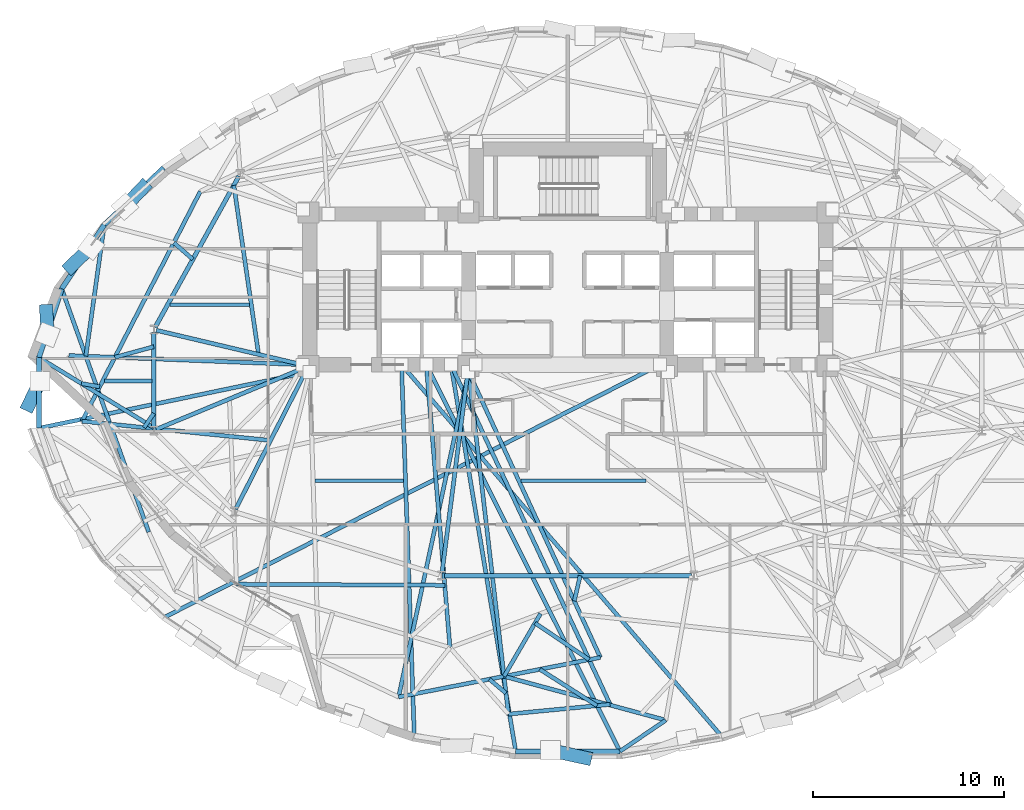
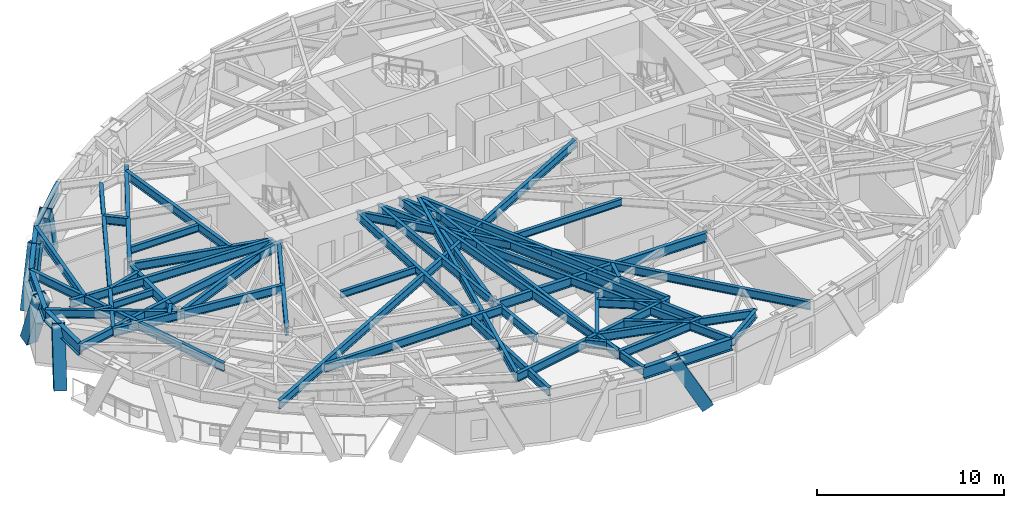
# One storey, part 3 of 17: 48 beams, 5 members.
"""IFC4 building model written with IfcOpenShell, lengths in metres."""

from ifc_helpers import new_model, si_unit, direction, frame, origin, origin_2d, place, context, subcontext, project, spatial, hollow_rectangle, i_section, extrude, material, material_profile, profile_set, type_object, element, save


model = new_model("IFC4")

# Units and contexts
model_context = context("Model", 3, precision=1e-05, world=origin(), true_north=direction((0.0, 1.0)))
body_context = subcontext(model_context, "Body", "Model", "MODEL_VIEW")
ifc_project = project(units=[si_unit("LENGTHUNIT", "METRE"), si_unit("AREAUNIT", "SQUARE_METRE"), si_unit("VOLUMEUNIT", "CUBIC_METRE"), si_unit("PLANEANGLEUNIT", "RADIAN"), si_unit("MASSUNIT", "GRAM", prefix="KILO")], contexts=[model_context])

# Site, building, storey
site_placement = place(None, origin())
site = spatial("IfcSite", under=ifc_project, at=site_placement, CompositionType="ELEMENT")
building_placement = place(site_placement, origin())
building = spatial("IfcBuilding", under=site, at=building_placement, Name="Keldmark Tower", CompositionType="ELEMENT")
storey_placement = place(building_placement, frame((0.0, 0.0, 96.60009765625)))
storey = spatial("IfcBuildingStorey", under=building, at=storey_placement, Name="L25", CompositionType="ELEMENT", Elevation=96.60009765625)

# Beams
ifc_material_1 = material(Name="Steel ASTM A992 Grade 50", Category="steel")
ifc_material_profile_1 = material_profile(ifc_material_1, i_section(OverallWidth=0.19091796875, OverallDepth=0.45703125, WebThickness=0.009033203125, FlangeThickness=0.014404296875, at=origin_2d()), Name="W18X50")
ifc_profile_set_1 = profile_set([ifc_material_profile_1], Name="Steel ASTM A992 Grade 50")
beam_type_1 = type_object("IfcBeamType", Name="Composite Floor Joist W18X50", PredefinedType="JOIST", material=ifc_profile_set_1)
beam_1_placement = place(storey_placement, frame((-13.253662109375, -4.60009765625, 3.081298828125), z_axis=(1.0, 0.0, 0.0), x_axis=(0.0, 1.0, 0.0)))
element("IfcBeam", 1, at=beam_1_placement, inside=storey, type_object=beam_type_1, Name="L25 Composite Floor Joist J04", PredefinedType="JOIST", context=body_context, shape_type="SweptSolid", body=[
    extrude(i_section(OverallWidth=0.19091796875, OverallDepth=0.45703125, WebThickness=0.009033203125, FlangeThickness=0.014404296875, at=origin_2d()), origin(), (0.0, 0.0, 1.0), 4.652099609375),
])
beam_2_placement = place(storey_placement, frame((-2.4638671875, -4.60009765625, 3.081298828125), z_axis=(1.0, 0.0, 0.0), x_axis=(0.0, 1.0, 0.0)))
element("IfcBeam", 2, at=beam_2_placement, inside=storey, type_object=beam_type_1, Name="L25 Composite Floor Joist J05", PredefinedType="JOIST", context=body_context, shape_type="SweptSolid", body=[
    extrude(i_section(OverallWidth=0.19091796875, OverallDepth=0.45703125, WebThickness=0.009033203125, FlangeThickness=0.014404296875, at=origin_2d()), origin(), (0.0, 0.0, 1.0), 6.5712890625),
])
beam_3_placement = place(storey_placement, frame((-24.26806640625, 0.6201171875, 3.081298828125), z_axis=(1.0, 0.0, 0.0), x_axis=(0.0, 1.0, 0.0)))
element("IfcBeam", 3, at=beam_3_placement, inside=storey, type_object=beam_type_1, Name="L25 Composite Floor Joist J08", PredefinedType="JOIST", context=body_context, shape_type="SweptSolid", body=[
    extrude(i_section(OverallWidth=0.19091796875, OverallDepth=0.45703125, WebThickness=0.009033203125, FlangeThickness=0.014404296875, at=origin_2d()), origin(), (0.0, 0.0, 1.0), 2.465576171875),
])
beam_4_placement = place(storey_placement, frame((-20.84912109375, 4.6201171875, 3.081298828125), z_axis=(1.0, 0.0, 0.0), x_axis=(0.0, 1.0, 0.0)))
element("IfcBeam", 4, at=beam_4_placement, inside=storey, type_object=beam_type_1, Name="L25 Composite Floor Joist J09", PredefinedType="JOIST", context=body_context, shape_type="SweptSolid", body=[
    extrude(i_section(OverallWidth=0.19091796875, OverallDepth=0.45703125, WebThickness=0.009033203125, FlangeThickness=0.014404296875, at=origin_2d()), origin(), (0.0, 0.0, 1.0), 4.1650390625),
])

# Members
ifc_material_2 = material(Name="Steel ASTM A572 Grade 50", Category="steel")
ifc_material_profile_2 = material_profile(ifc_material_2, hollow_rectangle(XDim=0.699951171875, YDim=0.699951171875, WallThickness=0.054931640625, at=origin_2d()), Name="BOX700X700X55")
ifc_profile_set_2 = profile_set([ifc_material_profile_2], Name="Steel ASTM A572 Grade 50")
member_type = type_object("IfcMemberType", Name="Diagrid Zone 1 Brace BOX700X700X55", PredefinedType="BRACE", material=ifc_profile_set_2)
member_1_placement = place(storey_placement, frame((-22.24267578125, 10.779541015625, -0.27001953125), z_axis=(-0.259558143664, -0.273023008331, 0.926330398389), x_axis=(0.72475245975, -0.689009341074, 0.0)))
element("IfcMember", 5, at=member_1_placement, inside=storey, type_object=member_type, Name="L25 Perimeter Diagrid Brace 07A", PredefinedType="BRACE", context=body_context, shape_type="SweptSolid", body=[
    extrude(hollow_rectangle(XDim=0.699951171875, YDim=0.699951171875, WallThickness=0.054931640625, at=origin_2d()), origin(), (0.0, 0.0, 1.0), 3.735107421875),
])
member_2_placement = place(storey_placement, frame((-26.052490234375, 6.617431640625, -0.27001953125), z_axis=(0.283737637984, 0.276156614087, 0.918275817654), x_axis=(-0.697468552971, 0.716615390301, 0.0)))
element("IfcMember", 6, at=member_2_placement, inside=storey, type_object=member_type, Name="L25 Perimeter Diagrid Brace 07B", PredefinedType="BRACE", context=body_context, shape_type="SweptSolid", body=[
    extrude(hollow_rectangle(XDim=0.699951171875, YDim=0.699951171875, WallThickness=0.054931640625, at=origin_2d()), origin(), (0.0, 0.0, 1.0), 3.767822265625),
])
member_3_placement = place(storey_placement, frame((-27.330810546875, 4.3037109375, -0.27001953125), z_axis=(0.019074582468, -0.34440218345, 0.93862841228), x_axis=(0.998469791675, 0.055299865385, 0.0)))
element("IfcMember", 7, at=member_3_placement, inside=storey, type_object=member_type, Name="L25 Perimeter Diagrid Brace 08A", PredefinedType="BRACE", context=body_context, shape_type="SweptSolid", body=[
    extrude(hollow_rectangle(XDim=0.699951171875, YDim=0.699951171875, WallThickness=0.054931640625, at=origin_2d()), origin(), (0.0, 0.0, 1.0), 3.686279296875),
])
member_4_placement = place(storey_placement, frame((-28.2529296875, -0.635986328125, -0.27001953125), z_axis=(0.160209919925, 0.334638879777, 0.928627805797), x_axis=(-0.901960796712, 0.431817925976, 0.0)))
element("IfcMember", 8, at=member_4_placement, inside=storey, type_object=member_type, Name="L25 Perimeter Diagrid Brace 08B", PredefinedType="BRACE", context=body_context, shape_type="SweptSolid", body=[
    extrude(hollow_rectangle(XDim=0.699951171875, YDim=0.699951171875, WallThickness=0.054931640625, at=origin_2d()), origin(), (0.0, 0.0, 1.0), 3.725830078125),
])
member_5_placement = place(storey_placement, frame((0.935302734375, -19.13232421875, -0.27001953125), z_axis=(-0.466934405336, 0.1024479124, 0.878337455856), x_axis=(-0.214307740146, -0.976766191324, 0.0)))
element("IfcMember", 9, at=member_5_placement, inside=storey, type_object=member_type, Name="L25 Perimeter Diagrid Brace 12B", PredefinedType="BRACE", context=body_context, shape_type="SweptSolid", body=[
    extrude(hollow_rectangle(XDim=0.699951171875, YDim=0.699951171875, WallThickness=0.054931640625, at=origin_2d()), origin(), (0.0, 0.0, 1.0), 3.939208984375),
])

# Beams
ifc_material_3 = material(Name="Steel ASTM A992 Grade 50", Category="steel")
ifc_material_profile_3 = material_profile(ifc_material_3, i_section(OverallWidth=0.22900390625, OverallDepth=0.612060546875, WebThickness=0.011962890625, FlangeThickness=0.01953125, at=origin_2d()), Name="W24X84")
ifc_profile_set_3 = profile_set([ifc_material_profile_3], Name="Steel ASTM A992 Grade 50")
beam_type_2 = type_object("IfcBeamType", Name="Primary Floor Girder W24X84", PredefinedType="BEAM", material=ifc_profile_set_3)
beam_5_placement = place(storey_placement, frame((-17.235107421875, 11.35595703125, 3.00390625), z_axis=(-0.484951836703, -0.874540860154, 0.0), x_axis=(0.874540860154, -0.484951836703, 0.0)))
element("IfcBeam", 10, at=beam_5_placement, inside=storey, type_object=beam_type_2, Name="L25 Floor Ring Girder FG-R05", PredefinedType="BEAM", context=body_context, shape_type="SweptSolid", body=[
    extrude(i_section(OverallWidth=0.22900390625, OverallDepth=0.612060546875, WebThickness=0.011962890625, FlangeThickness=0.01953125, at=origin_2d()), origin(), (0.0, 0.0, 1.0), 9.060302734375),
])
beam_6_placement = place(storey_placement, frame((-21.697021484375, 3.169921875, 3.00390625), z_axis=(0.0, -1.0, 0.0), x_axis=(1.0, 0.0, 0.0)))
element("IfcBeam", 11, at=beam_6_placement, inside=storey, type_object=beam_type_2, Name="L25 Floor Ring Girder FG-R06", PredefinedType="BEAM", context=body_context, shape_type="SweptSolid", body=[
    extrude(i_section(OverallWidth=0.22900390625, OverallDepth=0.612060546875, WebThickness=0.011962890625, FlangeThickness=0.01953125, at=origin_2d()), origin(), (0.0, 0.0, 1.0), 4.995849609375),
])
beam_7_placement = place(storey_placement, frame((-6.472900390625, -9.579345703125, 3.00390625), z_axis=(1.0, 0.0, 0.0), x_axis=(0.0, 1.0, 0.0)))
element("IfcBeam", 12, at=beam_7_placement, inside=storey, type_object=beam_type_2, Name="L25 Floor Ring Girder FG-R09", PredefinedType="BEAM", context=body_context, shape_type="SweptSolid", body=[
    extrude(i_section(OverallWidth=0.22900390625, OverallDepth=0.612060546875, WebThickness=0.011962890625, FlangeThickness=0.01953125, at=origin_2d()), origin(), (0.0, 0.0, 1.0), 12.94580078125),
])
ifc_material_4 = material(Name="Steel ASTM A992 Grade 50", Category="steel")
ifc_material_profile_4 = material_profile(ifc_material_4, i_section(OverallWidth=0.2099609375, OverallDepth=0.537109375, WebThickness=0.010986328125, FlangeThickness=0.017333984375, at=origin_2d()), Name="W21X68")
ifc_profile_set_4 = profile_set([ifc_material_profile_4], Name="Steel ASTM A992 Grade 50")
beam_type_3 = type_object("IfcBeamType", Name="Radial Tie Girder W21X68", PredefinedType="BEAM", material=ifc_profile_set_4)
beam_8_placement = place(storey_placement, frame((-16.206298828125, 2.014892578125, 3.04150390625), z_axis=(-0.144668966659, 0.989480111011, 0.0), x_axis=(-0.989480111011, -0.144668966659, 0.0)))
element("IfcBeam", 13, at=beam_8_placement, inside=storey, type_object=beam_type_3, Name="L25 Framing Pin Header PH-003", PredefinedType="BEAM", context=body_context, shape_type="SweptSolid", body=[
    extrude(i_section(OverallWidth=0.2099609375, OverallDepth=0.537109375, WebThickness=0.010986328125, FlangeThickness=0.017333984375, at=origin_2d()), origin(), (0.0, 0.0, 1.0), 8.954345703125),
])
beam_9_placement = place(storey_placement, frame((-21.697021484375, -1.076416015625, 3.04150390625), z_axis=(-0.566712846815, -0.823915377484, 0.0), x_axis=(0.823915377484, -0.566712846815, 0.0)))
element("IfcBeam", 14, at=beam_9_placement, inside=storey, type_object=beam_type_3, Name="L25 Framing Pin Header PH-004", PredefinedType="BEAM", context=body_context, shape_type="SweptSolid", body=[
    extrude(i_section(OverallWidth=0.2099609375, OverallDepth=0.537109375, WebThickness=0.010986328125, FlangeThickness=0.017333984375, at=origin_2d()), origin(), (0.0, 0.0, 1.0), 0.90087890625),
])
beam_10_placement = place(storey_placement, frame((-15.57958984375, -2.4951171875, 3.04150390625), z_axis=(-0.994834649081, 0.101508723705, 0.0), x_axis=(-0.101508723705, -0.994834649081, 0.0)))
element("IfcBeam", 15, at=beam_10_placement, inside=storey, type_object=beam_type_3, Name="L25 Sub-Ring Step Girder STP1-M07", PredefinedType="BEAM", context=body_context, shape_type="SweptSolid", body=[
    extrude(i_section(OverallWidth=0.2099609375, OverallDepth=0.537109375, WebThickness=0.010986328125, FlangeThickness=0.017333984375, at=origin_2d()), origin(), (0.0, 0.0, 1.0), 9.93310546875),
])
beam_11_placement = place(storey_placement, frame((-17.360107421875, -10.027587890625, 3.04150390625), z_axis=(0.999986059239, -0.005280277218, 0.0), x_axis=(0.005280277218, 0.999986059239, 0.0)))
element("IfcBeam", 16, at=beam_11_placement, inside=storey, type_object=beam_type_3, Name="L25 Framing Pin Header PH-006", PredefinedType="BEAM", context=body_context, shape_type="SweptSolid", body=[
    extrude(i_section(OverallWidth=0.2099609375, OverallDepth=0.537109375, WebThickness=0.010986328125, FlangeThickness=0.017333984375, at=origin_2d()), origin(), (0.0, 0.0, 1.0), 10.911865234375),
])
beam_12_placement = place(storey_placement, frame((-7.41796875, 1.47509765625, 3.04150390625), z_axis=(0.083564279251, -0.996502388975, 0.0), x_axis=(0.996502388975, 0.083564279251, 0.0)))
element("IfcBeam", 17, at=beam_12_placement, inside=storey, type_object=beam_type_3, Name="L25 Sub-Ring Step Girder STP1-M09", PredefinedType="BEAM", context=body_context, shape_type="SweptSolid", body=[
    extrude(i_section(OverallWidth=0.2099609375, OverallDepth=0.537109375, WebThickness=0.010986328125, FlangeThickness=0.017333984375, at=origin_2d()), origin(), (0.0, 0.0, 1.0), 14.876708984375),
])
beam_13_placement = place(storey_placement, frame((-19.2587890625, 10.560302734375, 3.04150390625), z_axis=(-0.457755076319, -0.889078337439, 0.0), x_axis=(0.889078337439, -0.457755076319, 0.0)))
element("IfcBeam", 18, at=beam_13_placement, inside=storey, type_object=beam_type_3, Name="L25 Perimeter Collector Ring Beam CRG1-M06", PredefinedType="BEAM", context=body_context, shape_type="SweptSolid", body=[
    extrude(i_section(OverallWidth=0.2099609375, OverallDepth=0.537109375, WebThickness=0.010986328125, FlangeThickness=0.017333984375, at=origin_2d()), origin(), (0.0, 0.0, 1.0), 13.550048828125),
])
beam_14_placement = place(storey_placement, frame((-21.697021484375, 2.42041015625, 3.04150390625), z_axis=(-0.96450500901, -0.264064551946, 0.0), x_axis=(0.264064551946, -0.96450500901, 0.0)))
element("IfcBeam", 19, at=beam_14_placement, inside=storey, type_object=beam_type_3, Name="L25 Framing Pin Header PH-010", PredefinedType="BEAM", context=body_context, shape_type="SweptSolid", body=[
    extrude(i_section(OverallWidth=0.2099609375, OverallDepth=0.537109375, WebThickness=0.010986328125, FlangeThickness=0.017333984375, at=origin_2d()), origin(), (0.0, 0.0, 1.0), 2.115478515625),
])
beam_15_placement = place(storey_placement, frame((-13.89990234375, 1.47509765625, 3.04150390625), z_axis=(-0.999228201232, 0.039281062405, 0.0), x_axis=(-0.039281062405, -0.999228201232, 0.0)))
element("IfcBeam", 20, at=beam_15_placement, inside=storey, type_object=beam_type_3, Name="L25 Sub-Ring Step Girder STP2-M07", PredefinedType="BEAM", context=body_context, shape_type="SweptSolid", body=[
    extrude(i_section(OverallWidth=0.2099609375, OverallDepth=0.537109375, WebThickness=0.010986328125, FlangeThickness=0.017333984375, at=origin_2d()), origin(), (0.0, 0.0, 1.0), 12.2626953125),
])
beam_16_placement = place(storey_placement, frame((-5.199951171875, 1.10009765625, 3.04150390625), z_axis=(-0.210462581744, -0.977601913708, 0.0), x_axis=(0.977601913708, -0.210462581744, 0.0)))
element("IfcBeam", 21, at=beam_16_placement, inside=storey, type_object=beam_type_3, Name="L25 Sub-Ring Step Girder STP2-M09", PredefinedType="BEAM", context=body_context, shape_type="SweptSolid", body=[
    extrude(i_section(OverallWidth=0.2099609375, OverallDepth=0.537109375, WebThickness=0.010986328125, FlangeThickness=0.017333984375, at=origin_2d()), origin(), (0.0, 0.0, 1.0), 17.430419921875),
])
beam_17_placement = place(storey_placement, frame((0.647216796875, -9.579345703125, 3.04150390625), z_axis=(-0.225762338717, -0.974182409211, 0.0), x_axis=(0.974182409211, -0.225762338717, 0.0)))
element("IfcBeam", 22, at=beam_17_placement, inside=storey, type_object=beam_type_3, Name="L25 Framing Pin Header PH-013", PredefinedType="BEAM", context=body_context, shape_type="SweptSolid", body=[
    extrude(i_section(OverallWidth=0.2099609375, OverallDepth=0.537109375, WebThickness=0.010986328125, FlangeThickness=0.017333984375, at=origin_2d()), origin(), (0.0, 0.0, 1.0), 1.362548828125),
])
beam_18_placement = place(storey_placement, frame((-5.199951171875, 1.10009765625, 3.04150390625), z_axis=(0.418938879898, -0.908014435408, 0.0), x_axis=(0.908014435408, 0.418938879898, 0.0)))
element("IfcBeam", 23, at=beam_18_placement, inside=storey, type_object=beam_type_3, Name="L25 Sub-Ring Step Girder STP2-M10", PredefinedType="BEAM", context=body_context, shape_type="SweptSolid", body=[
    extrude(i_section(OverallWidth=0.2099609375, OverallDepth=0.537109375, WebThickness=0.010986328125, FlangeThickness=0.017333984375, at=origin_2d()), origin(), (0.0, 0.0, 1.0), 16.482177734375),
])
beam_19_placement = place(storey_placement, frame((-8.868408203125, -15.93994140625, 3.04150390625), z_axis=(0.98130074481, 0.192480773677, 0.0), x_axis=(-0.192480773677, 0.98130074481, 0.0)))
element("IfcBeam", 24, at=beam_19_placement, inside=storey, type_object=beam_type_3, Name="L25 Perimeter Collector Ring Beam CRG2-M09", PredefinedType="BEAM", context=body_context, shape_type="SweptSolid", body=[
    extrude(i_section(OverallWidth=0.2099609375, OverallDepth=0.537109375, WebThickness=0.010986328125, FlangeThickness=0.017333984375, at=origin_2d()), origin(), (0.0, 0.0, 1.0), 10.77490234375),
])
beam_20_placement = place(storey_placement, frame((-19.651611328125, 6.997802734375, 3.04150390625), z_axis=(-0.752416343637, 0.658687821223, 0.0), x_axis=(-0.658687821223, -0.752416343637, 0.0)))
element("IfcBeam", 25, at=beam_20_placement, inside=storey, type_object=beam_type_3, Name="L25 Framing Pin Header PH-023", PredefinedType="BEAM", context=body_context, shape_type="SweptSolid", body=[
    extrude(i_section(OverallWidth=0.2099609375, OverallDepth=0.537109375, WebThickness=0.010986328125, FlangeThickness=0.017333984375, at=origin_2d()), origin(), (0.0, 0.0, 1.0), 1.320556640625),
])
beam_21_placement = place(storey_placement, frame((-24.29296875, 8.802490234375, 3.04150390625), z_axis=(-0.13900071886, -0.990292280166, 0.0), x_axis=(0.990292280166, -0.13900071886, 0.0)))
element("IfcBeam", 26, at=beam_21_placement, inside=storey, type_object=beam_type_3, Name="L25 Framing Pin Header PH-024", PredefinedType="BEAM", context=body_context, shape_type="SweptSolid", body=[
    extrude(i_section(OverallWidth=0.2099609375, OverallDepth=0.537109375, WebThickness=0.010986328125, FlangeThickness=0.017333984375, at=origin_2d()), origin(), (0.0, 0.0, 1.0), 6.9482421875),
])
beam_22_placement = place(storey_placement, frame((-21.960693359375, -7.294921875, 3.04150390625), z_axis=(-0.336911994657, 0.941536142618, 0.0), x_axis=(-0.941536142618, -0.336911994657, 0.0)))
element("IfcBeam", 27, at=beam_22_placement, inside=storey, type_object=beam_type_3, Name="L25 Perimeter Radial Tie Girder RT-15", PredefinedType="BEAM", context=body_context, shape_type="SweptSolid", body=[
    extrude(i_section(OverallWidth=0.2099609375, OverallDepth=0.537109375, WebThickness=0.010986328125, FlangeThickness=0.017333984375, at=origin_2d()), origin(), (0.0, 0.0, 1.0), 13.540771484375),
])
beam_23_placement = place(storey_placement, frame((-24.531005859375, 0.3203125, 3.04150390625), z_axis=(-0.984651816895, 0.174530225132, 0.0), x_axis=(-0.174530225132, -0.984651816895, 0.0)))
element("IfcBeam", 28, at=beam_23_placement, inside=storey, type_object=beam_type_3, Name="L25 Framing Pin Header PH-025", PredefinedType="BEAM", context=body_context, shape_type="SweptSolid", body=[
    extrude(i_section(OverallWidth=0.2099609375, OverallDepth=0.537109375, WebThickness=0.010986328125, FlangeThickness=0.017333984375, at=origin_2d()), origin(), (0.0, 0.0, 1.0), 0.97216796875),
])
beam_24_placement = place(storey_placement, frame((-21.697021484375, -1.825927734375, 3.04150390625), z_axis=(-0.853385353326, 0.521280575822, 0.0), x_axis=(-0.521280575822, -0.853385353326, 0.0)))
element("IfcBeam", 29, at=beam_24_placement, inside=storey, type_object=beam_type_3, Name="L25 Perimeter Radial Tie Girder RT-16", PredefinedType="BEAM", context=body_context, shape_type="SweptSolid", body=[
    extrude(i_section(OverallWidth=0.2099609375, OverallDepth=0.537109375, WebThickness=0.010986328125, FlangeThickness=0.017333984375, at=origin_2d()), origin(), (0.0, 0.0, 1.0), 7.052734375),
])
beam_25_placement = place(storey_placement, frame((-13.52490234375, 1.10009765625, 3.04150390625), z_axis=(-0.979059659864, -0.203573530763, 0.0), x_axis=(0.203573530763, -0.979059659864, 0.0)))
element("IfcBeam", 30, at=beam_25_placement, inside=storey, type_object=beam_type_3, Name="L25 Perimeter Radial Tie Girder RT-17", PredefinedType="BEAM", context=body_context, shape_type="SweptSolid", body=[
    extrude(i_section(OverallWidth=0.2099609375, OverallDepth=0.537109375, WebThickness=0.010986328125, FlangeThickness=0.017333984375, at=origin_2d()), origin(), (0.0, 0.0, 1.0), 14.494384765625),
])
beam_26_placement = place(storey_placement, frame((4.824951171875, 1.47509765625, 3.04150390625), z_axis=(-0.890888103103, -0.454222839309, 0.0), x_axis=(0.454222839309, -0.890888103103, 0.0)))
element("IfcBeam", 31, at=beam_26_placement, inside=storey, type_object=beam_type_3, Name="L25 Perimeter Radial Tie Girder RT-20", PredefinedType="BEAM", context=body_context, shape_type="SweptSolid", body=[
    extrude(i_section(OverallWidth=0.2099609375, OverallDepth=0.537109375, WebThickness=0.010986328125, FlangeThickness=0.017333984375, at=origin_2d()), origin(), (0.0, 0.0, 1.0), 29.20068359375),
])
beam_27_placement = place(storey_placement, frame((-8.71435546875, 1.47509765625, 3.04150390625), z_axis=(0.034352124829, -0.999409791587, 0.0), x_axis=(0.999409791587, 0.034352124829, 0.0)))
element("IfcBeam", 32, at=beam_27_placement, inside=storey, type_object=beam_type_3, Name="L25 Perimeter Radial Tie Girder RT-23", PredefinedType="BEAM", context=body_context, shape_type="SweptSolid", body=[
    extrude(i_section(OverallWidth=0.2099609375, OverallDepth=0.537109375, WebThickness=0.010986328125, FlangeThickness=0.017333984375, at=origin_2d()), origin(), (0.0, 0.0, 1.0), 19.466064453125),
])
beam_28_placement = place(storey_placement, frame((-1.429443359375, -11.5703125, 3.04150390625), z_axis=(-0.503244138967, -0.864144279964, 0.0), x_axis=(0.864144279964, -0.503244138967, 0.0)))
element("IfcBeam", 33, at=beam_28_placement, inside=storey, type_object=beam_type_3, Name="L25 Framing Pin Header PH-032", PredefinedType="BEAM", context=body_context, shape_type="SweptSolid", body=[
    extrude(i_section(OverallWidth=0.2099609375, OverallDepth=0.537109375, WebThickness=0.010986328125, FlangeThickness=0.017333984375, at=origin_2d()), origin(), (0.0, 0.0, 1.0), 3.802490234375),
])
beam_29_placement = place(storey_placement, frame((-5.199951171875, 1.10009765625, 3.04150390625), z_axis=(0.115592370927, -0.993296735011, 0.0), x_axis=(0.993296735011, 0.115592370927, 0.0)))
element("IfcBeam", 34, at=beam_29_placement, inside=storey, type_object=beam_type_3, Name="L25 Intermediate Radial Step Girder RT-24M", PredefinedType="BEAM", context=body_context, shape_type="SweptSolid", body=[
    extrude(i_section(OverallWidth=0.2099609375, OverallDepth=0.537109375, WebThickness=0.010986328125, FlangeThickness=0.017333984375, at=origin_2d()), origin(), (0.0, 0.0, 1.0), 18.058349609375),
])
beam_30_placement = place(storey_placement, frame((-4.1103515625, -15.006591796875, 3.04150390625), z_axis=(0.765908092283, -0.642950071293, 0.0), x_axis=(0.642950071293, 0.765908092283, 0.0)))
element("IfcBeam", 35, at=beam_30_placement, inside=storey, type_object=beam_type_3, Name="L25 Framing Pin Header PH-033", PredefinedType="BEAM", context=body_context, shape_type="SweptSolid", body=[
    extrude(i_section(OverallWidth=0.2099609375, OverallDepth=0.537109375, WebThickness=0.010986328125, FlangeThickness=0.017333984375, at=origin_2d()), origin(), (0.0, 0.0, 1.0), 1.1357421875),
])
beam_31_placement = place(storey_placement, frame((-6.121337890625, 1.47509765625, 3.04150390625), z_axis=(0.165079171882, -0.986280318678, 0.0), x_axis=(0.986280318678, 0.165079171882, 0.0)))
element("IfcBeam", 36, at=beam_31_placement, inside=storey, type_object=beam_type_3, Name="L25 Perimeter Radial Tie Girder RT-24", PredefinedType="BEAM", context=body_context, shape_type="SweptSolid", body=[
    extrude(i_section(OverallWidth=0.2099609375, OverallDepth=0.537109375, WebThickness=0.010986328125, FlangeThickness=0.017333984375, at=origin_2d()), origin(), (0.0, 0.0, 1.0), 20.54541015625),
])
beam_32_placement = place(storey_placement, frame((-1.716552734375, -12.06298828125, 3.04150390625), z_axis=(0.828256151033, -0.56034966608, 0.0), x_axis=(0.56034966608, 0.828256151033, 0.0)))
element("IfcBeam", 37, at=beam_32_placement, inside=storey, type_object=beam_type_3, Name="L25 Framing Pin Header PH-034", PredefinedType="BEAM", context=body_context, shape_type="SweptSolid", body=[
    extrude(i_section(OverallWidth=0.2099609375, OverallDepth=0.537109375, WebThickness=0.010986328125, FlangeThickness=0.017333984375, at=origin_2d()), origin(), (0.0, 0.0, 1.0), 3.4228515625),
])
beam_33_placement = place(storey_placement, frame((-6.121337890625, 1.47509765625, 3.04150390625), z_axis=(0.424176129322, -0.905579710083, 0.0), x_axis=(0.905579710083, 0.424176129322, 0.0)))
element("IfcBeam", 38, at=beam_33_placement, inside=storey, type_object=beam_type_3, Name="L25 Intermediate Radial Step Girder RT-25M", PredefinedType="BEAM", context=body_context, shape_type="SweptSolid", body=[
    extrude(i_section(OverallWidth=0.2099609375, OverallDepth=0.537109375, WebThickness=0.010986328125, FlangeThickness=0.017333984375, at=origin_2d()), origin(), (0.0, 0.0, 1.0), 19.658447265625),
])
beam_34_placement = place(storey_placement, frame((-3.112548828125, -16.837158203125, 3.04150390625), z_axis=(0.995452951304, 0.095254510342, 0.0), x_axis=(-0.095254510342, 0.995452951304, 0.0)))
element("IfcBeam", 39, at=beam_34_placement, inside=storey, type_object=beam_type_3, Name="L25 Local Collector Chord RT-25C", PredefinedType="BEAM", context=body_context, shape_type="SweptSolid", body=[
    extrude(i_section(OverallWidth=0.2099609375, OverallDepth=0.537109375, WebThickness=0.010986328125, FlangeThickness=0.017333984375, at=origin_2d()), origin(), (0.0, 0.0, 1.0), 5.354248046875),
])
beam_35_placement = place(storey_placement, frame((-1.467041015625, -14.488037109375, 3.04150390625), z_axis=(0.843972742046, -0.53638606496, 0.0), x_axis=(0.53638606496, 0.843972742046, 0.0)))
element("IfcBeam", 40, at=beam_35_placement, inside=storey, type_object=beam_type_3, Name="L25 Framing Pin Header PH-035", PredefinedType="BEAM", context=body_context, shape_type="SweptSolid", body=[
    extrude(i_section(OverallWidth=0.2099609375, OverallDepth=0.537109375, WebThickness=0.010986328125, FlangeThickness=0.017333984375, at=origin_2d()), origin(), (0.0, 0.0, 1.0), 3.551025390625),
])
beam_36_placement = place(storey_placement, frame((-7.41796875, 1.47509765625, 3.04150390625), z_axis=(0.447778009443, -0.894144761355, 0.0), x_axis=(0.894144761355, 0.447778009443, 0.0)))
element("IfcBeam", 41, at=beam_36_placement, inside=storey, type_object=beam_type_3, Name="L25 Perimeter Radial Tie Girder RT-25", PredefinedType="BEAM", context=body_context, shape_type="SweptSolid", body=[
    extrude(i_section(OverallWidth=0.2099609375, OverallDepth=0.537109375, WebThickness=0.010986328125, FlangeThickness=0.017333984375, at=origin_2d()), origin(), (0.0, 0.0, 1.0), 22.662353515625),
])
beam_37_placement = place(storey_placement, frame((-3.343017578125, -14.856201171875, 3.04150390625), z_axis=(0.965171392467, -0.261618392248, 0.0), x_axis=(0.261618392248, 0.965171392467, 0.0)))
element("IfcBeam", 42, at=beam_37_placement, inside=storey, type_object=beam_type_3, Name="L25 Intermediate Radial Step Girder RT-26M", PredefinedType="BEAM", context=body_context, shape_type="SweptSolid", body=[
    extrude(i_section(OverallWidth=0.2099609375, OverallDepth=0.537109375, WebThickness=0.010986328125, FlangeThickness=0.017333984375, at=origin_2d()), origin(), (0.0, 0.0, 1.0), 8.780517578125),
])
beam_38_placement = place(storey_placement, frame((2.729736328125, -18.788330078125, 3.04150390625), z_axis=(0.826646650538, 0.562721347698, 0.0), x_axis=(-0.562721347698, 0.826646650538, 0.0)))
element("IfcBeam", 43, at=beam_38_placement, inside=storey, type_object=beam_type_3, Name="L25 Local Collector Chord RT-26C", PredefinedType="BEAM", context=body_context, shape_type="SweptSolid", body=[
    extrude(i_section(OverallWidth=0.2099609375, OverallDepth=0.537109375, WebThickness=0.010986328125, FlangeThickness=0.017333984375, at=origin_2d()), origin(), (0.0, 0.0, 1.0), 2.905517578125),
])
beam_39_placement = place(storey_placement, frame((-8.71435546875, 1.47509765625, 3.04150390625), z_axis=(0.652689631699, -0.757625398645, 0.0), x_axis=(0.757625398645, 0.652689631699, 0.0)))
element("IfcBeam", 44, at=beam_39_placement, inside=storey, type_object=beam_type_3, Name="L25 Perimeter Radial Tie Girder RT-26R", PredefinedType="BEAM", context=body_context, shape_type="SweptSolid", body=[
    extrude(i_section(OverallWidth=0.2099609375, OverallDepth=0.537109375, WebThickness=0.010986328125, FlangeThickness=0.017333984375, at=origin_2d()), origin(), (0.0, 0.0, 1.0), 25.678466796875),
])
ifc_material_5 = material(Name="Steel ASTM A992 Grade 50", Category="steel")
ifc_material_profile_5 = material_profile(ifc_material_5, i_section(OverallWidth=0.214111328125, OverallDepth=0.549072265625, WebThickness=0.0146484375, FlangeThickness=0.023681640625, at=origin_2d()), Name="W21X93")
ifc_profile_set_5 = profile_set([ifc_material_profile_5], Name="Steel ASTM A992 Grade 50")
beam_type_4 = type_object("IfcBeamType", Name="Radial Tie Girder W21X93", PredefinedType="BEAM", material=ifc_profile_set_5)
beam_40_placement = place(storey_placement, frame((-21.560546875, 3.27783203125, 3.035400390625), z_axis=(0.973283778272, -0.229605502879, 0.0), x_axis=(0.229605502879, 0.973283778272, 0.0)))
element("IfcBeam", 45, at=beam_40_placement, inside=storey, type_object=beam_type_4, Name="L25 Floor Radial Girder FG-C06", PredefinedType="BEAM", context=body_context, shape_type="SweptSolid", body=[
    extrude(i_section(OverallWidth=0.214111328125, OverallDepth=0.549072265625, WebThickness=0.0146484375, FlangeThickness=0.023681640625, at=origin_2d()), origin(), (0.0, 0.0, 1.0), 7.85888671875),
])
beam_41_placement = place(storey_placement, frame((-21.567626953125, -1.912109375, 3.035400390625), z_axis=(0.923397393633, 0.383845350932, 0.0), x_axis=(-0.383845350932, 0.923397393633, 0.0)))
element("IfcBeam", 46, at=beam_41_placement, inside=storey, type_object=beam_type_4, Name="L25 Floor Radial Girder FG-C07", PredefinedType="BEAM", context=body_context, shape_type="SweptSolid", body=[
    extrude(i_section(OverallWidth=0.214111328125, OverallDepth=0.549072265625, WebThickness=0.0146484375, FlangeThickness=0.023681640625, at=origin_2d()), origin(), (0.0, 0.0, 1.0), 8.30859375),
])
beam_42_placement = place(storey_placement, frame((-17.413818359375, -6.104736328125, 3.035400390625), z_axis=(0.453028637759, 0.891495963743, 0.0), x_axis=(-0.891495963743, 0.453028637759, 0.0)))
element("IfcBeam", 47, at=beam_42_placement, inside=storey, type_object=beam_type_4, Name="L25 Floor Radial Girder FG-C08", PredefinedType="BEAM", context=body_context, shape_type="SweptSolid", body=[
    extrude(i_section(OverallWidth=0.214111328125, OverallDepth=0.549072265625, WebThickness=0.0146484375, FlangeThickness=0.023681640625, at=origin_2d()), origin(), (0.0, 0.0, 1.0), 8.09814453125),
])
beam_43_placement = place(storey_placement, frame((-6.594970703125, -9.4404296875, 3.035400390625), z_axis=(0.127642040045, 0.991820301069, 0.0), x_axis=(-0.991820301069, 0.127642040045, 0.0)))
element("IfcBeam", 48, at=beam_43_placement, inside=storey, type_object=beam_type_4, Name="L25 Floor Radial Girder FG-C09", PredefinedType="BEAM", context=body_context, shape_type="SweptSolid", body=[
    extrude(i_section(OverallWidth=0.214111328125, OverallDepth=0.549072265625, WebThickness=0.0146484375, FlangeThickness=0.023681640625, at=origin_2d()), origin(), (0.0, 0.0, 1.0), 10.609619140625),
])
ifc_material_6 = material(Name="Steel ASTM A992 Grade 50", Category="steel")
ifc_material_profile_6 = material_profile(ifc_material_6, i_section(OverallWidth=0.26806640625, OverallDepth=0.77001953125, WebThickness=0.015625, FlangeThickness=0.025390625, at=origin_2d()), Name="W30X132")
ifc_profile_set_6 = profile_set([ifc_material_profile_6], Name="Steel ASTM A992 Grade 50")
beam_type_5 = type_object("IfcBeamType", Name="Spandrel Ring Beam W30X132", PredefinedType="SPANDREL", material=ifc_profile_set_6)
beam_44_placement = place(storey_placement, frame((-21.189697265625, 11.78857421875, 2.9248046875), z_axis=(-0.720581378362, -0.693370375166, 0.0), x_axis=(0.693370375166, -0.720581378362, 0.0)))
element("IfcBeam", 49, at=beam_44_placement, inside=storey, type_object=beam_type_5, Name="L25 Perimeter Spandrel Ring Beam SRB-13", PredefinedType="SPANDREL", context=body_context, shape_type="SweptSolid", body=[
    extrude(i_section(OverallWidth=0.26806640625, OverallDepth=0.77001953125, WebThickness=0.015625, FlangeThickness=0.025390625, at=origin_2d()), origin(), (0.0, 0.0, 1.0), 4.306640625),
])
beam_45_placement = place(storey_placement, frame((-24.29296875, 8.802490234375, 2.9248046875), z_axis=(-0.554265966169, -0.832339617432, 0.0), x_axis=(0.832339617432, -0.554265966169, 0.0)))
element("IfcBeam", 50, at=beam_45_placement, inside=storey, type_object=beam_type_5, Name="L25 Perimeter Spandrel Ring Beam SRB-14", PredefinedType="SPANDREL", context=body_context, shape_type="SweptSolid", body=[
    extrude(i_section(OverallWidth=0.26806640625, OverallDepth=0.77001953125, WebThickness=0.015625, FlangeThickness=0.025390625, at=origin_2d()), origin(), (0.0, 0.0, 1.0), 4.02294921875),
])
beam_46_placement = place(storey_placement, frame((-26.522705078125, 5.4541015625, 2.9248046875), z_axis=(-0.314316911692, -0.94931811266, 0.0), x_axis=(0.94931811266, -0.314316911692, 0.0)))
element("IfcBeam", 51, at=beam_46_placement, inside=storey, type_object=beam_type_5, Name="L25 Perimeter Spandrel Ring Beam SRB-15", PredefinedType="SPANDREL", context=body_context, shape_type="SweptSolid", body=[
    extrude(i_section(OverallWidth=0.26806640625, OverallDepth=0.77001953125, WebThickness=0.015625, FlangeThickness=0.025390625, at=origin_2d()), origin(), (0.0, 0.0, 1.0), 3.7958984375),
])
beam_47_placement = place(storey_placement, frame((-27.7158203125, 1.8505859375, 2.9248046875), z_axis=(0.0, -1.0, 0.0), x_axis=(1.0, 0.0, 0.0)))
element("IfcBeam", 52, at=beam_47_placement, inside=storey, type_object=beam_type_5, Name="L25 Perimeter Spandrel Ring Beam SRB-16", PredefinedType="SPANDREL", context=body_context, shape_type="SweptSolid", body=[
    extrude(i_section(OverallWidth=0.26806640625, OverallDepth=0.77001953125, WebThickness=0.015625, FlangeThickness=0.025390625, at=origin_2d()), origin(), (0.0, 0.0, 1.0), 3.701171875),
])
beam_48_placement = place(storey_placement, frame((-2.729736328125, -18.788330078125, 2.9248046875), z_axis=(1.0, 0.0, 0.0), x_axis=(0.0, 1.0, 0.0)))
element("IfcBeam", 53, at=beam_48_placement, inside=storey, type_object=beam_type_5, Name="L25 Perimeter Spandrel Ring Beam SRB-24", PredefinedType="SPANDREL", context=body_context, shape_type="SweptSolid", body=[
    extrude(i_section(OverallWidth=0.26806640625, OverallDepth=0.77001953125, WebThickness=0.015625, FlangeThickness=0.025390625, at=origin_2d()), origin(), (0.0, 0.0, 1.0), 5.45947265625),
])

save(model, "model.ifc")
